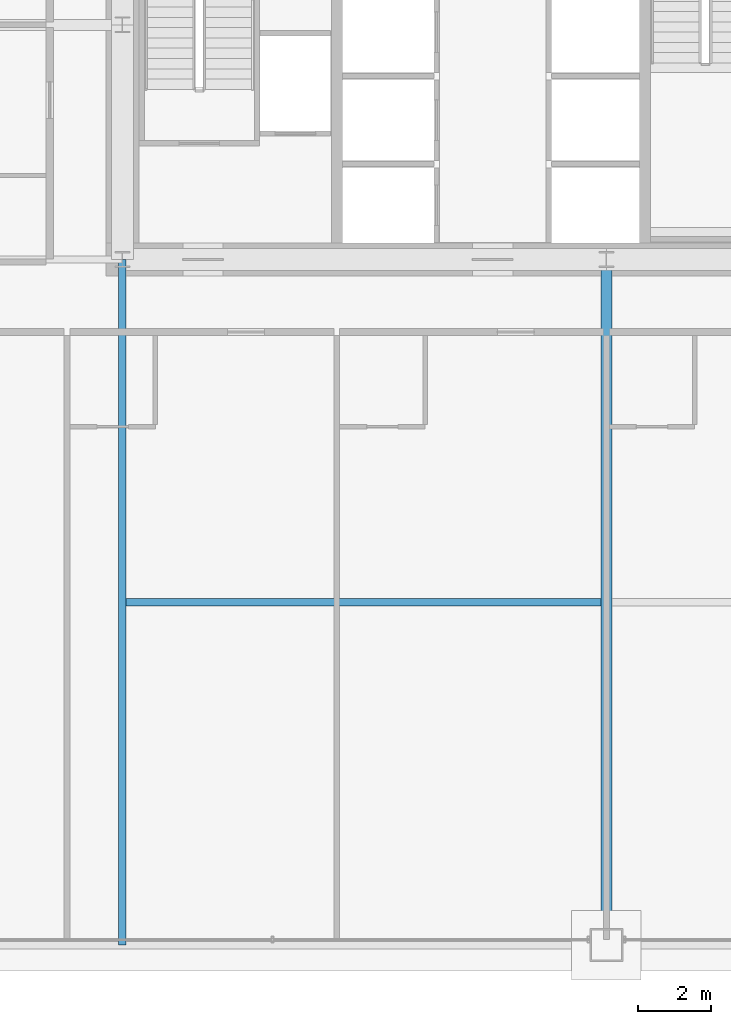
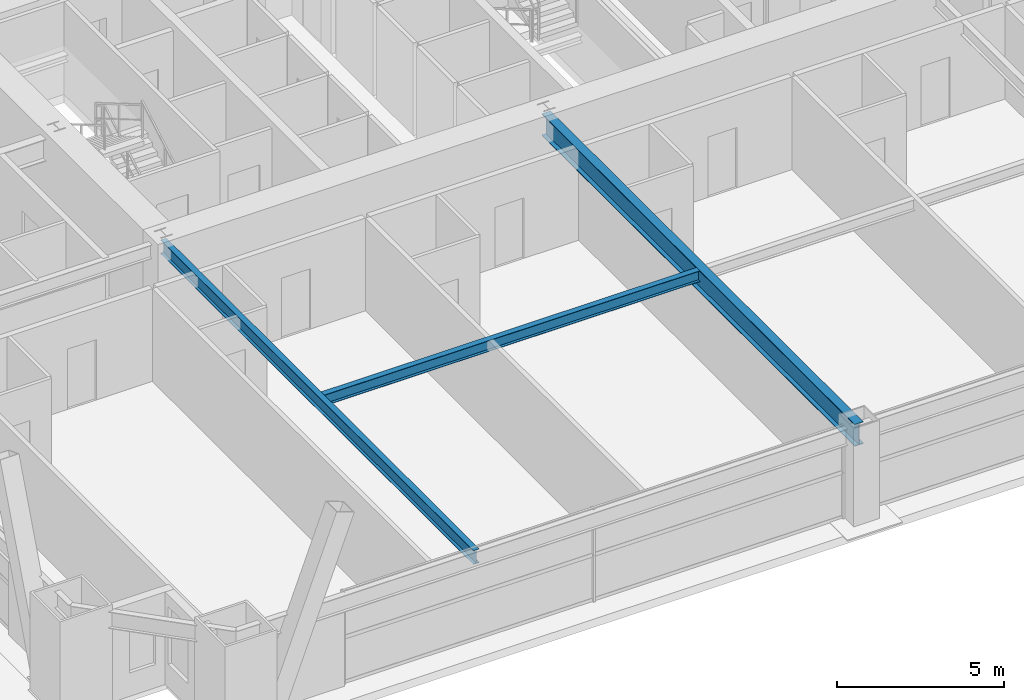
# One storey, part 10 of 45: 3 beams.
"""IFC4 building model written with IfcOpenShell, lengths in metres."""

import ifcopenshell
import ifcopenshell.guid

model = None  # the IFC model being written
_history = None  # IfcOwnerHistory: only IFC2X3 demands one
_inside = {}  # id of a spatial element -> (the spatial element, [elements in it])
_under = {}  # id of a project, library or spatial element -> (it, [spatial elements below it])
_declared = {}  # id of a project -> (the project, [libraries it declares])
_typed = {}  # id of a type object -> (the type object, [elements of that type])
_made_of = {}  # id of a material, layer set ... -> (it, [elements and type objects made of it])


def new_model(schema):
    """Start an empty IFC model of exactly this schema.

    Asked for "IFC4X3", IfcOpenShell would pick the latest addendum, in which some entities
    have other attributes; the version numbers below select the first issue.
    IFC2X3 requires an IfcOwnerHistory on every rooted entity: one is made here for all.
    """
    global model, _history
    if schema == "IFC4X3":
        model = ifcopenshell.file(schema_version=(4, 3, 0, 0))
    else:
        model = ifcopenshell.file(schema=schema)
    _inside.clear()
    _under.clear()
    _declared.clear()
    _typed.clear()
    _made_of.clear()
    _history = None
    if model.schema == "IFC2X3":
        org = make("IfcOrganization", Name="unknown")
        user = make(
            "IfcPersonAndOrganization",
            ThePerson=make("IfcPerson", FamilyName="unknown"),
            TheOrganization=org,
        )
        app = make(
            "IfcApplication",
            ApplicationDeveloper=org,
            Version="unknown",
            ApplicationFullName="unknown",
            ApplicationIdentifier="unknown",
        )
        _history = make(
            "IfcOwnerHistory",
            OwningUser=user,
            OwningApplication=app,
            ChangeAction="ADDED",
            CreationDate=0,
        )
    return model


def make(cls, **values):
    """One entity of the class cls with the attributes given. An attribute that is None is left unset."""
    return model.create_entity(
        cls, **{name: value for name, value in values.items() if value is not None}
    )


def rooted(cls, **values):
    """An entity with a GlobalId (a new one), such as an element, a storey or a relation."""
    return make(cls, GlobalId=ifcopenshell.guid.new(), OwnerHistory=_history, **values)


def si_unit(unit_type, name, prefix=None):
    """IfcSIUnit, for example si_unit("LENGTHUNIT", "METRE", prefix="MILLI")."""
    return make("IfcSIUnit", UnitType=unit_type, Prefix=prefix, Name=name)


def assignment(units):
    """IfcUnitAssignment: the units of a project."""
    return None if units is None else make("IfcUnitAssignment", Units=units)


def point(xyz):
    """IfcCartesianPoint."""
    return None if xyz is None else make("IfcCartesianPoint", Coordinates=xyz)


def direction(xyz):
    """IfcDirection."""
    return None if xyz is None else make("IfcDirection", DirectionRatios=xyz)


def frame(location, z_axis=None, x_axis=None):
    """IfcAxis2Placement3D, a coordinate frame: its origin and axes. An axis left out is left unset."""
    return make(
        "IfcAxis2Placement3D",
        Location=point(location),
        Axis=direction(z_axis),
        RefDirection=direction(x_axis),
    )


def frame_2d(location, x_axis=None):
    """IfcAxis2Placement2D, a coordinate frame in the plane: its origin and x axis."""
    return make(
        "IfcAxis2Placement2D", Location=point(location), RefDirection=direction(x_axis)
    )


def origin():
    """The frame at (0, 0, 0) with its axes left unset."""
    return frame((0.0, 0.0, 0.0))


def origin_2d():
    """The frame at (0, 0) in the plane with its x axis left unset."""
    return frame_2d((0.0, 0.0))


def place(relative_to, where):
    """IfcLocalPlacement: puts the frame where relative to a parent placement (None: the world)."""
    return make(
        "IfcLocalPlacement", PlacementRelTo=relative_to, RelativePlacement=where
    )


def context(
    kind, dimensions, precision=None, world=None, true_north=None, identifier=None
):
    """IfcGeometricRepresentationContext, for example the 3D "Model" context."""
    return make(
        "IfcGeometricRepresentationContext",
        ContextIdentifier=identifier,
        ContextType=kind,
        CoordinateSpaceDimension=dimensions,
        Precision=precision,
        WorldCoordinateSystem=world,
        TrueNorth=true_north,
    )


def subcontext(parent, identifier, kind, view, scale=None):
    """IfcGeometricRepresentationSubContext, for example "Body" below "Model"."""
    return make(
        "IfcGeometricRepresentationSubContext",
        ContextIdentifier=identifier,
        ContextType=kind,
        ParentContext=parent,
        TargetScale=scale,
        TargetView=view,
    )


def project(units=None, contexts=None):
    """IfcProject with its units and contexts."""
    return rooted(
        "IfcProject",
        Name="project",
        RepresentationContexts=contexts,
        UnitsInContext=assignment(units),
    )


def spatial(cls, under=None, at=None, **own):
    """A site, building, storey or space (cls), placed at a placement, below another one or the project."""
    s = rooted(cls, ObjectPlacement=at, **own)
    if under is not None:
        _under.setdefault(under.id(), (under, []))[1].append(s)
    return s


def profile(cls, at=None, kind="AREA", **sizes):
    """A parametric profile (cls). Its sizes go by their IFC names, for example OverallWidth=200.0."""
    return make(cls, ProfileType=kind, Position=at, **sizes)


def i_section(**sizes):
    """IfcIShapeProfileDef."""
    return profile("IfcIShapeProfileDef", **sizes)


def extrude(swept, where, along, depth):
    """IfcExtrudedAreaSolid: the profile swept, set in the frame where, extruded along a direction by depth."""
    return make(
        "IfcExtrudedAreaSolid",
        SweptArea=swept,
        Position=where,
        ExtrudedDirection=direction(along),
        Depth=depth,
    )


def shape(context_of_items, identifier, shape_type, items):
    """IfcShapeRepresentation: the items that make up one representation, for example the "Body"."""
    return make(
        "IfcShapeRepresentation",
        ContextOfItems=context_of_items,
        RepresentationIdentifier=identifier,
        RepresentationType=shape_type,
        Items=items,
    )


def source(mapping_origin, context_of_items, identifier, shape_type, items):
    """IfcRepresentationMap: a shape defined once, which mapped items show again and again."""
    return make(
        "IfcRepresentationMap",
        MappingOrigin=mapping_origin,
        MappedRepresentation=shape(context_of_items, identifier, shape_type, items),
    )


def transform(
    local_origin,
    x_axis=None,
    y_axis=None,
    z_axis=None,
    scale=None,
    scale2=None,
    scale3=None,
    uniform=True,
):
    """IfcCartesianTransformationOperator3D, or its non-uniform kind. x_axis, y_axis, z_axis: its Axis1, 2, 3."""
    if uniform:
        return make(
            "IfcCartesianTransformationOperator3D",
            Axis1=direction(x_axis),
            Axis2=direction(y_axis),
            LocalOrigin=point(local_origin),
            Scale=scale,
            Axis3=direction(z_axis),
        )
    return make(
        "IfcCartesianTransformationOperator3DnonUniform",
        Axis1=direction(x_axis),
        Axis2=direction(y_axis),
        LocalOrigin=point(local_origin),
        Scale=scale,
        Axis3=direction(z_axis),
        Scale2=scale2,
        Scale3=scale3,
    )


def mapped(mapping_source, mapping_target):
    """IfcMappedItem: shows the shape of a source again, moved by a transform."""
    return make(
        "IfcMappedItem", MappingSource=mapping_source, MappingTarget=mapping_target
    )


def material(Name=None, Category=None):
    """IfcMaterial."""
    return make("IfcMaterial", Name=Name, Category=Category)


def material_profile(
    of_material, cross_section, Name=None, Category=None, Priority=None
):
    """IfcMaterialProfile: a cross section and its material."""
    return make(
        "IfcMaterialProfile",
        Name=Name,
        Material=of_material,
        Profile=cross_section,
        Priority=Priority,
        Category=Category,
    )


def profile_set(profiles, Name=None, composite=None):
    """IfcMaterialProfileSet."""
    return make(
        "IfcMaterialProfileSet",
        Name=Name,
        MaterialProfiles=profiles,
        CompositeProfile=composite,
    )


def made_of(thing, what):
    """Note that an element or type object is made of a material, layer set ...; save() writes the relation."""
    if what is not None:
        _made_of.setdefault(what.id(), (what, []))[1].append(thing)
    return thing


def type_object(cls, material=None, **own):
    """A type object (cls), such as IfcWallType, which elements share."""
    return made_of(rooted(cls, **own), material)


def element(
    cls,
    number,
    at=None,
    inside=None,
    cuts=None,
    type_object=None,
    material=None,
    context=None,
    identifier="Body",
    shape_type=None,
    held_by="IfcProductDefinitionShape",
    body=None,
    shapes=None,
    **own,
):
    """One element of the class cls, such as IfcWall. Its Tag is "e" and its number.

    at: its placement. inside: the storey or other place that contains it. cuts: it is an
    opening in that element (IfcRelVoidsElement). A single representation is given by context,
    identifier, shape_type and body (its items); several are given by shapes. held_by: the class
    of the entity that holds the representations. save() writes the other relations.
    """
    e = rooted(cls, Tag="e%d" % number, ObjectPlacement=at, **own)
    if body is not None:
        shapes = [shape(context, identifier, shape_type, body)]
    if shapes is not None:
        e.Representation = make(held_by, Representations=shapes)
    if inside is not None:
        _inside.setdefault(inside.id(), (inside, []))[1].append(e)
    if cuts is not None:
        rooted(
            "IfcRelVoidsElement", RelatingBuildingElement=cuts, RelatedOpeningElement=e
        )
    if type_object is not None:
        _typed.setdefault(type_object.id(), (type_object, []))[1].append(e)
    return made_of(e, material)


def aggregate(whole, parts):
    """IfcRelAggregates: a whole, such as a stair, and the parts it consists of."""
    return rooted("IfcRelAggregates", RelatingObject=whole, RelatedObjects=parts)


def save(model, path):
    """Write the relations noted so far, then the file.

    IfcRelAggregates (storeys below a building ...), IfcRelContainedInSpatialStructure (elements
    in a storey), IfcRelDefinesByType, IfcRelAssociatesMaterial and IfcRelDeclares: one each for
    every whole, place, type object, material and project.
    """
    for whole, parts in _under.values():
        aggregate(whole, parts)
    for where, things in _inside.values():
        rooted(
            "IfcRelContainedInSpatialStructure",
            RelatedElements=things,
            RelatingStructure=where,
        )
    for kind, things in _typed.values():
        rooted("IfcRelDefinesByType", RelatedObjects=things, RelatingType=kind)
    for what, things in _made_of.values():
        rooted("IfcRelAssociatesMaterial", RelatedObjects=things, RelatingMaterial=what)
    for by, libraries in _declared.values():
        rooted("IfcRelDeclares", RelatingContext=by, RelatedDefinitions=libraries)
    model.write(path)


model = new_model("IFC4")

# Units and contexts
model_context = context("Model", 3, precision=1e-05, world=origin(), true_north=direction((0.0, 1.0)))
body_context = subcontext(model_context, "Body", "Model", "MODEL_VIEW")
ifc_project = project(units=[si_unit("LENGTHUNIT", "METRE"), si_unit("AREAUNIT", "SQUARE_METRE"), si_unit("VOLUMEUNIT", "CUBIC_METRE"), si_unit("PLANEANGLEUNIT", "RADIAN"), si_unit("MASSUNIT", "GRAM", prefix="KILO"), si_unit("THERMODYNAMICTEMPERATUREUNIT", "KELVIN"), si_unit("POWERUNIT", "WATT")], contexts=[model_context])

# Site, building, storey
site_placement = place(None, origin())
site = spatial("IfcSite", under=ifc_project, at=site_placement, CompositionType="ELEMENT")
building_placement = place(site_placement, origin())
building = spatial("IfcBuilding", under=site, at=building_placement, Name="Yuzanri Waterfront Tower", CompositionType="ELEMENT")
storey_placement = place(building_placement, frame((0.0, 0.0, 30.60009765625)))
storey = spatial("IfcBuildingStorey", under=building, at=storey_placement, Name="L07", CompositionType="ELEMENT", Elevation=30.60009765625)

# Beams
ifc_material_1 = material(Name="Steel Q355B", Category="steel")
ifc_material_profile_1 = material_profile(ifc_material_1, i_section(OverallWidth=0.300048828125, OverallDepth=0.800048828125, WebThickness=0.013916015625, FlangeThickness=0.02587890625, at=origin_2d()), Name="HN 800x300x14x26")
ifc_profile_set_1 = profile_set([ifc_material_profile_1], Name="Steel Q355B")
beam_type_1 = type_object("IfcBeamType", Name="Primary Floor Girder Q355B HN 800x300", PredefinedType="BEAM", material=ifc_profile_set_1)
shared_shape_1 = source(origin(), body_context, "Body", "SweptSolid", [
    extrude(i_section(OverallWidth=0.300048828125, OverallDepth=0.800048828125, WebThickness=0.013916015625, FlangeThickness=0.02587890625, at=origin_2d()), origin(), (0.0, 0.0, 1.0), 18.699951171875),
])
beam_1_placement = place(storey_placement, frame((37.0, 19.39990234375, 2.97998046875), z_axis=(0.0, -1.0, 0.0), x_axis=(1.0, 0.0, 0.0)))
element("IfcBeam", 1, at=beam_1_placement, inside=storey, type_object=beam_type_1, Name="L07 South Grid Girder", PredefinedType="BEAM", context=body_context, shape_type="MappedRepresentation", body=[
    mapped(shared_shape_1, transform((0.0, 0.0, 0.0), scale=1.0)),
])
ifc_material_2 = material(Name="Steel Q355B", Category="steel")
ifc_material_profile_2 = material_profile(ifc_material_2, i_section(OverallWidth=0.199951171875, OverallDepth=0.5, WebThickness=0.010009765625, FlangeThickness=0.01611328125, at=origin_2d()), Name="HN 500x200x10x16")
ifc_profile_set_2 = profile_set([ifc_material_profile_2], Name="Steel Q355B")
beam_type_2 = type_object("IfcBeamType", Name="Secondary Floor Beam Q355B HN 500x200", PredefinedType="BEAM", material=ifc_profile_set_2)
shared_shape_2 = source(origin(), body_context, "Body", "SweptSolid", [
    extrude(i_section(OverallWidth=0.199951171875, OverallDepth=0.5, WebThickness=0.010009765625, FlangeThickness=0.01611328125, at=origin_2d()), origin(), (0.0, 0.0, 1.0), 18.699951171875),
])
beam_2_placement = place(storey_placement, frame((23.800048828125, 19.39990234375, 3.1298828125), z_axis=(0.0, -1.0, 0.0), x_axis=(1.0, 0.0, 0.0)))
element("IfcBeam", 2, at=beam_2_placement, inside=storey, type_object=beam_type_2, Name="L07 South-West Core Line Beam", PredefinedType="BEAM", context=body_context, shape_type="MappedRepresentation", body=[
    mapped(shared_shape_2, transform((0.0, 0.0, 0.0), scale=1.0)),
])
ifc_material_3 = material(Name="Steel Q355B", Category="steel")
ifc_material_profile_3 = material_profile(ifc_material_3, i_section(OverallWidth=0.199951171875, OverallDepth=0.39990234375, WebThickness=0.008056640625, FlangeThickness=0.012939453125, at=origin_2d()), Name="HN 400x200x8x13")
ifc_profile_set_3 = profile_set([ifc_material_profile_3], Name="Steel Q355B")
beam_type_3 = type_object("IfcBeamType", Name="Floor Joist Q355B HN 400x200", PredefinedType="JOIST", material=ifc_profile_set_3)
shared_shape_3 = source(origin(), body_context, "Body", "SweptSolid", [
    extrude(i_section(OverallWidth=0.199951171875, OverallDepth=0.39990234375, WebThickness=0.008056640625, FlangeThickness=0.012939453125, at=origin_2d()), origin(), (0.0, 0.0, 1.0), 12.9501953125),
])
beam_3_placement = place(storey_placement, frame((23.89990234375, 10.050048828125, 3.179931640625), z_axis=(1.0, 0.0, 0.0), x_axis=(0.0, 1.0, 0.0)))
element("IfcBeam", 3, at=beam_3_placement, inside=storey, type_object=beam_type_3, Name="L07 South Bay Joist W", PredefinedType="JOIST", context=body_context, shape_type="MappedRepresentation", body=[
    mapped(shared_shape_3, transform((0.0, 0.0, 0.0), scale=1.0)),
])

save(model, "model.ifc")
